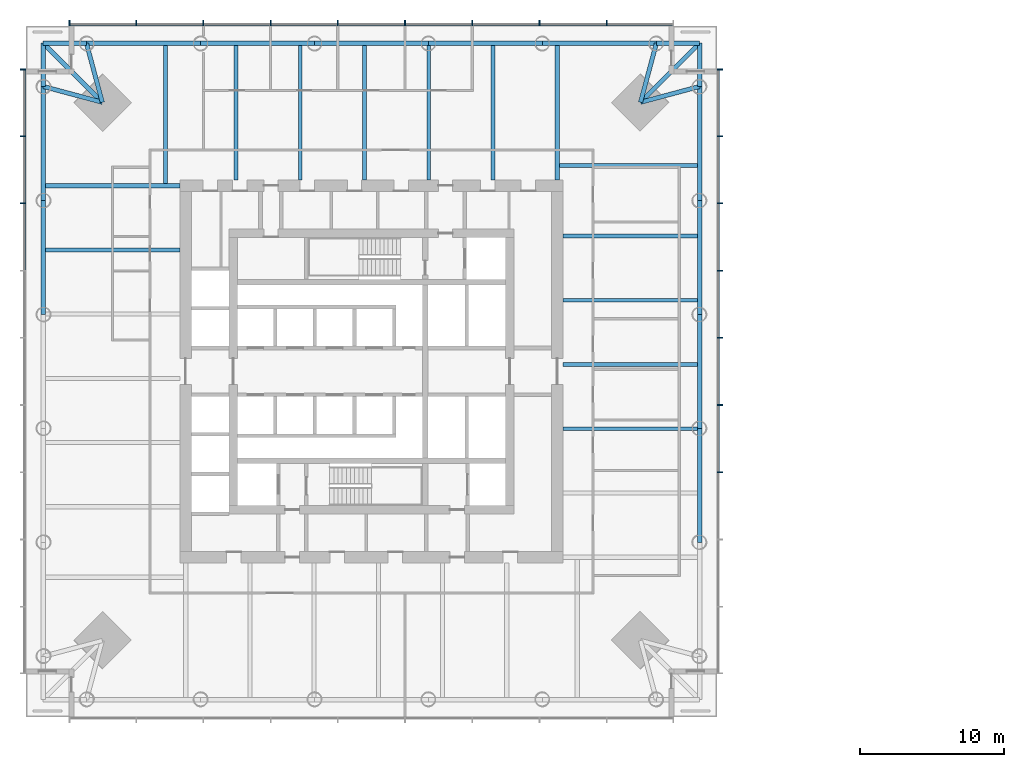
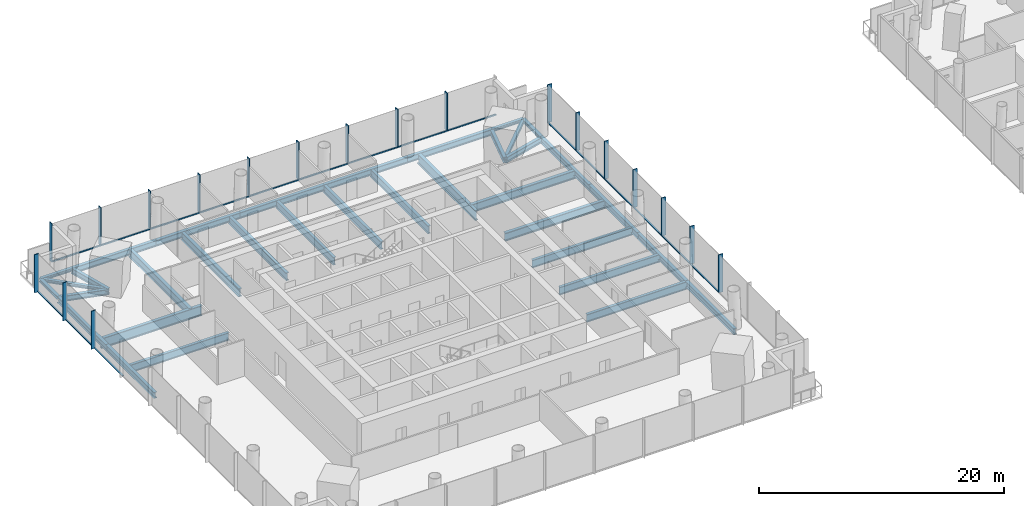
# One storey, part 3 of 21: 37 members, 35 beams, 3 elements without a shape of their own.
"""IFC4 building model written with IfcOpenShell, lengths in metres."""

from ifc_helpers import new_model, si_unit, direction, frame, origin, origin_2d, place, context, subcontext, project, spatial, rectangle, i_section, extrude, material, material_profile, profile_set, type_object, element, aggregate, save


model = new_model("IFC4")

# Units and contexts
model_context = context("Model", 3, precision=1e-05, world=origin(), true_north=direction((0.0, 1.0)))
body_context = subcontext(model_context, "Body", "Model", "MODEL_VIEW")
ifc_project = project(units=[si_unit("LENGTHUNIT", "METRE"), si_unit("AREAUNIT", "SQUARE_METRE"), si_unit("VOLUMEUNIT", "CUBIC_METRE"), si_unit("PLANEANGLEUNIT", "RADIAN"), si_unit("MASSUNIT", "GRAM", prefix="KILO")], contexts=[model_context])

# Site, building, storey
site_placement = place(None, origin())
site = spatial("IfcSite", under=ifc_project, at=site_placement, CompositionType="ELEMENT")
building_placement = place(site_placement, origin())
building = spatial("IfcBuilding", under=site, at=building_placement, Name="Ostroluk Exchange", CompositionType="ELEMENT")
storey_placement = place(building_placement, frame((0.0, 0.0, 59.0)))
storey = spatial("IfcBuildingStorey", under=building, at=storey_placement, Name="L14", CompositionType="ELEMENT", Elevation=59.0)

# Beams
ifc_material_1 = material(Name="Steel S355", Category="steel")
ifc_material_profile_1 = material_profile(ifc_material_1, i_section(OverallWidth=0.300048828125, OverallDepth=0.300048828125, WebThickness=0.010986328125, FlangeThickness=0.01904296875, FilletRadius=0.027099609375, at=origin_2d()), Name="HEB 300")
ifc_profile_set_1 = profile_set([ifc_material_profile_1], Name="Steel S355")
beam_type_1 = type_object("IfcBeamType", Name="Balcony beam HEB 300", PredefinedType="BEAM", material=ifc_profile_set_1)
for number, where, z_axis, x_axis, name in (
    (1, (67.78564453125, 65.78564453125, -0.330078125), (0.0, 1.0, 0.0), (-1.0, 0.0, 0.0), "T1 east balcony beam a"),
    (2, (64.78564453125, 68.78564453125, -0.330078125), (1.0, 0.0, 0.0), (0.0, 1.0, 0.0), "T1 east balcony beam b"),
):
    element("IfcBeam", number, at=place(storey_placement, frame(where, z_axis=z_axis, x_axis=x_axis)), inside=storey, type_object=beam_type_1, Name=name, PredefinedType="BEAM", context=body_context, shape_type="SweptSolid", body=[
        extrude(i_section(OverallWidth=0.300048828125, OverallDepth=0.300048828125, WebThickness=0.010986328125, FlangeThickness=0.01904296875, FilletRadius=0.027099609375, at=origin_2d()), origin(), (0.0, 0.0, 1.0), 3.0),
    ])
beam_1_placement = place(storey_placement, frame((63.685791015625, 64.685791015625, -0.330078125), z_axis=(0.707106781187, 0.707106781187, 0.0), x_axis=(-0.707106781187, 0.707106781187, 0.0)))
element("IfcBeam", 3, at=beam_1_placement, inside=storey, type_object=beam_type_1, Name="T1 east balcony beam c", PredefinedType="BEAM", context=body_context, shape_type="SweptSolid", body=[
    extrude(i_section(OverallWidth=0.300048828125, OverallDepth=0.300048828125, WebThickness=0.010986328125, FlangeThickness=0.01904296875, FilletRadius=0.027099609375, at=origin_2d()), origin(), (0.0, 0.0, 1.0), 5.798095703125),
])
for number, where, z_axis, x_axis, name in (
    (4, (25.21435546875, 68.78564453125, -0.330078125), (-1.0, 0.0, 0.0), (0.0, -1.0, 0.0), "T1 north balcony beam a"),
    (5, (22.21435546875, 65.78564453125, -0.330078125), (0.0, 1.0, 0.0), (-1.0, 0.0, 0.0), "T1 north balcony beam b"),
):
    element("IfcBeam", number, at=place(storey_placement, frame(where, z_axis=z_axis, x_axis=x_axis)), inside=storey, type_object=beam_type_1, Name=name, PredefinedType="BEAM", context=body_context, shape_type="SweptSolid", body=[
        extrude(i_section(OverallWidth=0.300048828125, OverallDepth=0.300048828125, WebThickness=0.010986328125, FlangeThickness=0.01904296875, FilletRadius=0.027099609375, at=origin_2d()), origin(), (0.0, 0.0, 1.0), 3.0),
    ])
beam_2_placement = place(storey_placement, frame((26.314208984375, 64.685791015625, -0.330078125), z_axis=(-0.707106781187, 0.707106781187, 0.0), x_axis=(-0.707106781187, -0.707106781187, 0.0)))
element("IfcBeam", 6, at=beam_2_placement, inside=storey, type_object=beam_type_1, Name="T1 north balcony beam c", PredefinedType="BEAM", context=body_context, shape_type="SweptSolid", body=[
    extrude(i_section(OverallWidth=0.300048828125, OverallDepth=0.300048828125, WebThickness=0.010986328125, FlangeThickness=0.01904296875, FilletRadius=0.027099609375, at=origin_2d()), origin(), (0.0, 0.0, 1.0), 5.798095703125),
])
ifc_material_2 = material(Name="Steel S355", Category="steel")
ifc_material_profile_2 = material_profile(ifc_material_2, i_section(OverallWidth=0.300048828125, OverallDepth=0.550048828125, WebThickness=0.014892578125, FlangeThickness=0.029052734375, FilletRadius=0.027099609375, at=origin_2d()), Name="HEB 550")
ifc_profile_set_2 = profile_set([ifc_material_profile_2], Name="Steel S355")
beam_type_2 = type_object("IfcBeamType", Name="Corner edge beam HEB 550", PredefinedType="SPANDREL", material=ifc_profile_set_2)
for number, where, z_axis, x_axis, name in (
    (7, (63.685791015625, 64.685791015625, -0.455078125), (0.965849156574, 0.259105011038, 0.0), (-0.259105011038, 0.965849156574, 0.0), "T1 east corner edge beam a"),
    (8, (63.685791015625, 64.685791015625, -0.455078125), (0.259105011038, 0.965849156574, 0.0), (-0.965849156574, 0.259105011038, 0.0), "T1 east corner edge beam b"),
    (9, (26.314208984375, 64.685791015625, -0.455078125), (-0.259105011038, 0.965849156574, 0.0), (-0.965849156574, -0.259105011038, 0.0), "T1 north corner edge beam a"),
    (10, (26.314208984375, 64.685791015625, -0.455078125), (-0.965849156574, 0.259105011038, 0.0), (-0.259105011038, -0.965849156574, 0.0), "T1 north corner edge beam b"),
):
    element("IfcBeam", number, at=place(storey_placement, frame(where, z_axis=z_axis, x_axis=x_axis)), inside=storey, type_object=beam_type_2, Name=name, PredefinedType="SPANDREL", context=body_context, shape_type="SweptSolid", body=[
        extrude(i_section(OverallWidth=0.300048828125, OverallDepth=0.550048828125, WebThickness=0.014892578125, FlangeThickness=0.029052734375, FilletRadius=0.027099609375, at=origin_2d()), origin(), (0.0, 0.0, 1.0), 4.244873046875),
    ])
ifc_material_3 = material(Name="Steel S355", Category="steel")
ifc_material_profile_3 = material_profile(ifc_material_3, i_section(OverallWidth=0.302978515625, OverallDepth=0.81396484375, WebThickness=0.02099609375, FlangeThickness=0.0400390625, FilletRadius=0.030029296875, at=origin_2d()), Name="HEM 800")
ifc_profile_set_3 = profile_set([ifc_material_profile_3], Name="Steel S355")
beam_type_3 = type_object("IfcBeamType", Name="Floor beam HEM 800", PredefinedType="BEAM", material=ifc_profile_set_3)
beam_3_placement = place(storey_placement, frame((58.300048828125, 55.403564453125, -0.5869140625), z_axis=(1.0, 0.0, 0.0), x_axis=(0.0, 1.0, 0.0)))
element("IfcBeam", 11, at=beam_3_placement, inside=storey, type_object=beam_type_3, Name="T1 east floor beam 5", PredefinedType="BEAM", context=body_context, shape_type="SweptSolid", body=[
    extrude(i_section(OverallWidth=0.302978515625, OverallDepth=0.81396484375, WebThickness=0.02099609375, FlangeThickness=0.0400390625, FilletRadius=0.030029296875, at=origin_2d()), origin(), (0.0, 0.0, 1.0), 9.485595703125),
])
beam_4_placement = place(storey_placement, frame((57.89990234375, 60.300048828125, -0.5869140625), z_axis=(1.0, 0.0, 0.0), x_axis=(0.0, 1.0, 0.0)))
element("IfcBeam", 12, at=beam_4_placement, inside=storey, type_object=beam_type_3, Name="T1 east floor beam 6", PredefinedType="BEAM", context=body_context, shape_type="SweptSolid", body=[
    extrude(i_section(OverallWidth=0.302978515625, OverallDepth=0.81396484375, WebThickness=0.02099609375, FlangeThickness=0.0400390625, FilletRadius=0.030029296875, at=origin_2d()), origin(), (0.0, 0.0, 1.0), 9.8857421875),
])
beam_5_placement = place(storey_placement, frame((35.596435546875, 59.300048828125, -0.5869140625), z_axis=(0.0, 1.0, 0.0), x_axis=(-1.0, 0.0, 0.0)))
element("IfcBeam", 13, at=beam_5_placement, inside=storey, type_object=beam_type_3, Name="T1 north floor beam 5", PredefinedType="BEAM", context=body_context, shape_type="SweptSolid", body=[
    extrude(i_section(OverallWidth=0.302978515625, OverallDepth=0.81396484375, WebThickness=0.02099609375, FlangeThickness=0.0400390625, FilletRadius=0.030029296875, at=origin_2d()), origin(), (0.0, 0.0, 1.0), 9.485595703125),
])
beam_6_placement = place(storey_placement, frame((30.699951171875, 58.89990234375, -0.5869140625), z_axis=(0.0, 1.0, 0.0), x_axis=(-1.0, 0.0, 0.0)))
element("IfcBeam", 14, at=beam_6_placement, inside=storey, type_object=beam_type_3, Name="T1 north floor beam 6", PredefinedType="BEAM", context=body_context, shape_type="SweptSolid", body=[
    extrude(i_section(OverallWidth=0.302978515625, OverallDepth=0.81396484375, WebThickness=0.02099609375, FlangeThickness=0.0400390625, FilletRadius=0.030029296875, at=origin_2d()), origin(), (0.0, 0.0, 1.0), 9.8857421875),
])
ifc_material_4 = material(Name="Steel S355", Category="steel")
ifc_material_profile_4 = material_profile(ifc_material_4, i_section(OverallWidth=0.26806640625, OverallDepth=0.77001953125, WebThickness=0.015625, FlangeThickness=0.025390625, FilletRadius=0.01708984375, at=origin_2d()), Name="IPE 750x196")
ifc_profile_set_4 = profile_set([ifc_material_profile_4], Name="Steel S355")
beam_type_4 = type_object("IfcBeamType", Name="Floor beam IPE 750x196", PredefinedType="BEAM", material=ifc_profile_set_4)
for number, where, z_axis, x_axis, name in (
    (15, (58.300048828125, 42.021484375, -0.56494140625), (1.0, 0.0, 0.0), (0.0, 1.0, 0.0), "T1 east floor beam 2"),
    (16, (58.300048828125, 46.482177734375, -0.56494140625), (1.0, 0.0, 0.0), (0.0, 1.0, 0.0), "T1 east floor beam 3"),
    (17, (58.300048828125, 50.94287109375, -0.56494140625), (1.0, 0.0, 0.0), (0.0, 1.0, 0.0), "T1 east floor beam 4"),
    (18, (53.439208984375, 59.300048828125, -0.56494140625), (0.0, 1.0, 0.0), (-1.0, 0.0, 0.0), "T1 north floor beam 1"),
    (19, (48.978515625, 59.300048828125, -0.56494140625), (0.0, 1.0, 0.0), (-1.0, 0.0, 0.0), "T1 north floor beam 2"),
    (20, (44.517822265625, 59.300048828125, -0.56494140625), (0.0, 1.0, 0.0), (-1.0, 0.0, 0.0), "T1 north floor beam 3"),
    (21, (40.05712890625, 59.300048828125, -0.56494140625), (0.0, 1.0, 0.0), (-1.0, 0.0, 0.0), "T1 north floor beam 4"),
    (22, (31.699951171875, 54.439208984375, -0.56494140625), (-1.0, 0.0, 0.0), (0.0, -1.0, 0.0), "T1 west floor beam 1"),
):
    element("IfcBeam", number, at=place(storey_placement, frame(where, z_axis=z_axis, x_axis=x_axis)), inside=storey, type_object=beam_type_4, Name=name, PredefinedType="BEAM", context=body_context, shape_type="SweptSolid", body=[
        extrude(i_section(OverallWidth=0.26806640625, OverallDepth=0.77001953125, WebThickness=0.015625, FlangeThickness=0.025390625, FilletRadius=0.01708984375, at=origin_2d()), origin(), (0.0, 0.0, 1.0), 9.485595703125),
    ])
ifc_material_5 = material(Name="Steel S355", Category="steel")
ifc_material_profile_5 = material_profile(ifc_material_5, i_section(OverallWidth=0.302001953125, OverallDepth=1.008056640625, WebThickness=0.02099609375, FlangeThickness=0.0400390625, FilletRadius=0.030029296875, at=origin_2d()), Name="HEM 1000")
ifc_profile_set_5 = profile_set([ifc_material_profile_5], Name="Steel S355")
beam_type_5 = type_object("IfcBeamType", Name="Girder HEM 1000", PredefinedType="BEAM", material=ifc_profile_set_5)
for number, where, z_axis, x_axis, name in (
    (23, (57.89990234375, 59.300048828125, -0.68408203125), (0.0, 1.0, 0.0), (-1.0, 0.0, 0.0), "T1 east girder"),
    (24, (31.699951171875, 58.89990234375, -0.68408203125), (-1.0, 0.0, 0.0), (0.0, -1.0, 0.0), "T1 north girder"),
):
    element("IfcBeam", number, at=place(storey_placement, frame(where, z_axis=z_axis, x_axis=x_axis)), inside=storey, type_object=beam_type_5, Name=name, PredefinedType="BEAM", context=body_context, shape_type="SweptSolid", body=[
        extrude(i_section(OverallWidth=0.302001953125, OverallDepth=1.008056640625, WebThickness=0.02099609375, FlangeThickness=0.0400390625, FilletRadius=0.030029296875, at=origin_2d()), origin(), (0.0, 0.0, 1.0), 9.485595703125),
    ])
ifc_material_6 = material(Name="Steel S355", Category="steel")
ifc_material_profile_6 = material_profile(ifc_material_6, i_section(OverallWidth=0.300048828125, OverallDepth=0.60009765625, WebThickness=0.015380859375, FlangeThickness=0.030029296875, FilletRadius=0.027099609375, at=origin_2d()), Name="HEB 600")
ifc_profile_set_6 = profile_set([ifc_material_profile_6], Name="Steel S355")
beam_type_6 = type_object("IfcBeamType", Name="Moment-connected edge beam HEB 600", PredefinedType="SPANDREL", material=ifc_profile_set_6)
beam_7_placement = place(storey_placement, frame((67.78564453125, 34.128662109375, -0.47998046875), z_axis=(0.0, 1.0, 0.0), x_axis=(-1.0, 0.0, 0.0)))
element("IfcBeam", 25, at=beam_7_placement, inside=storey, type_object=beam_type_6, Name="T1 east edge beam 2", PredefinedType="SPANDREL", context=body_context, shape_type="SweptSolid", body=[
    extrude(i_section(OverallWidth=0.300048828125, OverallDepth=0.60009765625, WebThickness=0.015380859375, FlangeThickness=0.030029296875, FilletRadius=0.027099609375, at=origin_2d()), origin(), (0.0, 0.0, 1.0), 7.914306640625),
])
beam_8_placement = place(storey_placement, frame((67.78564453125, 42.04296875, -0.47998046875), z_axis=(0.0, 1.0, 0.0), x_axis=(-1.0, 0.0, 0.0)))
element("IfcBeam", 26, at=beam_8_placement, inside=storey, type_object=beam_type_6, Name="T1 east edge beam 3", PredefinedType="SPANDREL", context=body_context, shape_type="SweptSolid", body=[
    extrude(i_section(OverallWidth=0.300048828125, OverallDepth=0.60009765625, WebThickness=0.015380859375, FlangeThickness=0.030029296875, FilletRadius=0.027099609375, at=origin_2d()), origin(), (0.0, 0.0, 1.0), 7.9140625),
])
for number, where, z_axis, x_axis, name in (
    (27, (67.78564453125, 49.95703125, -0.47998046875), (0.0, 1.0, 0.0), (-1.0, 0.0, 0.0), "T1 east edge beam 4"),
    (28, (67.78564453125, 57.871337890625, -0.47998046875), (0.0, 1.0, 0.0), (-1.0, 0.0, 0.0), "T1 east edge beam 5"),
    (29, (64.78564453125, 68.78564453125, -0.47998046875), (-1.0, 0.0, 0.0), (0.0, -1.0, 0.0), "T1 north edge beam 1"),
    (30, (56.871337890625, 68.78564453125, -0.47998046875), (-1.0, 0.0, 0.0), (0.0, -1.0, 0.0), "T1 north edge beam 2"),
):
    element("IfcBeam", number, at=place(storey_placement, frame(where, z_axis=z_axis, x_axis=x_axis)), inside=storey, type_object=beam_type_6, Name=name, PredefinedType="SPANDREL", context=body_context, shape_type="SweptSolid", body=[
        extrude(i_section(OverallWidth=0.300048828125, OverallDepth=0.60009765625, WebThickness=0.015380859375, FlangeThickness=0.030029296875, FilletRadius=0.027099609375, at=origin_2d()), origin(), (0.0, 0.0, 1.0), 7.914306640625),
    ])
beam_9_placement = place(storey_placement, frame((48.95703125, 68.78564453125, -0.47998046875), z_axis=(-1.0, 0.0, 0.0), x_axis=(0.0, -1.0, 0.0)))
element("IfcBeam", 31, at=beam_9_placement, inside=storey, type_object=beam_type_6, Name="T1 north edge beam 3", PredefinedType="SPANDREL", context=body_context, shape_type="SweptSolid", body=[
    extrude(i_section(OverallWidth=0.300048828125, OverallDepth=0.60009765625, WebThickness=0.015380859375, FlangeThickness=0.030029296875, FilletRadius=0.027099609375, at=origin_2d()), origin(), (0.0, 0.0, 1.0), 7.9140625),
])
for number, where, z_axis, x_axis, name in (
    (32, (41.04296875, 68.78564453125, -0.47998046875), (-1.0, 0.0, 0.0), (0.0, -1.0, 0.0), "T1 north edge beam 4"),
    (33, (33.128662109375, 68.78564453125, -0.47998046875), (-1.0, 0.0, 0.0), (0.0, -1.0, 0.0), "T1 north edge beam 5"),
    (34, (22.21435546875, 65.78564453125, -0.47998046875), (0.0, -1.0, 0.0), (1.0, 0.0, 0.0), "T1 west edge beam 1"),
    (35, (22.21435546875, 57.871337890625, -0.47998046875), (0.0, -1.0, 0.0), (1.0, 0.0, 0.0), "T1 west edge beam 2"),
):
    element("IfcBeam", number, at=place(storey_placement, frame(where, z_axis=z_axis, x_axis=x_axis)), inside=storey, type_object=beam_type_6, Name=name, PredefinedType="SPANDREL", context=body_context, shape_type="SweptSolid", body=[
        extrude(i_section(OverallWidth=0.300048828125, OverallDepth=0.60009765625, WebThickness=0.015380859375, FlangeThickness=0.030029296875, FilletRadius=0.027099609375, at=origin_2d()), origin(), (0.0, 0.0, 1.0), 7.914306640625),
    ])

# Curtain wall, members
ifc_material_7 = material(Name="Laminated clear glass", Category="glass")
curtain_wall_type = type_object("IfcCurtainWallType", Name="Office tower facade", PredefinedType="USERDEFINED", material=ifc_material_7)
curtain_wall_1_placement = place(storey_placement, origin())
curtain_wall_1 = element("IfcCurtainWall", 36, at=curtain_wall_1_placement, inside=storey, type_object=curtain_wall_type, Name="Office tower east facade L14", ObjectType="UNITISED CURTAIN WALL", PredefinedType="USERDEFINED")
ifc_material_8 = material(Name="Aluminium mullion", Category="aluminium")
ifc_material_profile_7 = material_profile(ifc_material_8, rectangle(XDim=0.14990234375, YDim=0.080078125, at=origin_2d()), Name="Sill transom 80 x 150")
ifc_profile_set_7 = profile_set([ifc_material_profile_7], Name="Aluminium mullion")
member_type_1 = type_object("IfcMemberType", Name="Sill transom 80 x 150", PredefinedType="USERDEFINED", material=ifc_profile_set_7)
member_1_placement = place(storey_placement, frame((69.074951171875, 39.0400390625, 0.0400390625), z_axis=(0.0, 1.0, 0.0), x_axis=(-1.0, 0.0, 0.0)))
member_1 = element("IfcMember", 37, at=member_1_placement, type_object=member_type_1, Name="CW-O1 transom 4.1", ObjectType="TRANSOM", PredefinedType="USERDEFINED", context=body_context, shape_type="SweptSolid", body=[
    extrude(rectangle(XDim=0.14990234375, YDim=0.080078125, at=origin_2d()), origin(), (0.0, 0.0, 1.0), 4.586669921875),
])
member_2_placement = place(storey_placement, frame((69.074951171875, 43.706787109375, 0.0400390625), z_axis=(0.0, 1.0, 0.0), x_axis=(-1.0, 0.0, 0.0)))
member_2 = element("IfcMember", 38, at=member_2_placement, type_object=member_type_1, Name="CW-O1 transom 5.1", ObjectType="TRANSOM", PredefinedType="USERDEFINED", context=body_context, shape_type="SweptSolid", body=[
    extrude(rectangle(XDim=0.14990234375, YDim=0.080078125, at=origin_2d()), origin(), (0.0, 0.0, 1.0), 4.58642578125),
])
member_3_placement = place(storey_placement, frame((69.074951171875, 48.373291015625, 0.0400390625), z_axis=(0.0, 1.0, 0.0), x_axis=(-1.0, 0.0, 0.0)))
member_3 = element("IfcMember", 39, at=member_3_placement, type_object=member_type_1, Name="CW-O1 transom 6.1", ObjectType="TRANSOM", PredefinedType="USERDEFINED", context=body_context, shape_type="SweptSolid", body=[
    extrude(rectangle(XDim=0.14990234375, YDim=0.080078125, at=origin_2d()), origin(), (0.0, 0.0, 1.0), 4.586669921875),
])
member_4_placement = place(storey_placement, frame((69.074951171875, 53.0400390625, 0.0400390625), z_axis=(0.0, 1.0, 0.0), x_axis=(-1.0, 0.0, 0.0)))
member_4 = element("IfcMember", 40, at=member_4_placement, type_object=member_type_1, Name="CW-O1 transom 7.1", ObjectType="TRANSOM", PredefinedType="USERDEFINED", context=body_context, shape_type="SweptSolid", body=[
    extrude(rectangle(XDim=0.14990234375, YDim=0.080078125, at=origin_2d()), origin(), (0.0, 0.0, 1.0), 4.586669921875),
])
member_5_placement = place(storey_placement, frame((69.074951171875, 57.706787109375, 0.0400390625), z_axis=(0.0, 1.0, 0.0), x_axis=(-1.0, 0.0, 0.0)))
member_5 = element("IfcMember", 41, at=member_5_placement, type_object=member_type_1, Name="CW-O1 transom 8.1", ObjectType="TRANSOM", PredefinedType="USERDEFINED", context=body_context, shape_type="SweptSolid", body=[
    extrude(rectangle(XDim=0.14990234375, YDim=0.080078125, at=origin_2d()), origin(), (0.0, 0.0, 1.0), 4.58642578125),
])
member_6_placement = place(storey_placement, frame((69.074951171875, 62.373291015625, 0.0400390625), z_axis=(0.0, 1.0, 0.0), x_axis=(-1.0, 0.0, 0.0)))
member_6 = element("IfcMember", 42, at=member_6_placement, type_object=member_type_1, Name="CW-O1 transom 9.1", ObjectType="TRANSOM", PredefinedType="USERDEFINED", context=body_context, shape_type="SweptSolid", body=[
    extrude(rectangle(XDim=0.14990234375, YDim=0.080078125, at=origin_2d()), origin(), (0.0, 0.0, 1.0), 4.546630859375),
])

curtain_wall_2_placement = place(storey_placement, origin())
curtain_wall_2 = element("IfcCurtainWall", 43, at=curtain_wall_2_placement, inside=storey, type_object=curtain_wall_type, Name="Office tower north facade L14", ObjectType="UNITISED CURTAIN WALL", PredefinedType="USERDEFINED")
member_7_placement = place(storey_placement, frame((65.919921875, 70.074951171875, 0.0400390625), z_axis=(-1.0, 0.0, 0.0), x_axis=(0.0, -1.0, 0.0)))
member_7 = element("IfcMember", 44, at=member_7_placement, type_object=member_type_1, Name="CW-O1 transom 1.1", ObjectType="TRANSOM", PredefinedType="USERDEFINED", context=body_context, shape_type="SweptSolid", body=[
    extrude(rectangle(XDim=0.14990234375, YDim=0.080078125, at=origin_2d()), origin(), (0.0, 0.0, 1.0), 4.546630859375),
])
member_8_placement = place(storey_placement, frame((61.293212890625, 70.074951171875, 0.0400390625), z_axis=(-1.0, 0.0, 0.0), x_axis=(0.0, -1.0, 0.0)))
member_8 = element("IfcMember", 45, at=member_8_placement, type_object=member_type_1, Name="CW-O1 transom 2.1", ObjectType="TRANSOM", PredefinedType="USERDEFINED", context=body_context, shape_type="SweptSolid", body=[
    extrude(rectangle(XDim=0.14990234375, YDim=0.080078125, at=origin_2d()), origin(), (0.0, 0.0, 1.0), 4.58642578125),
])
member_9_placement = place(storey_placement, frame((56.626708984375, 70.074951171875, 0.0400390625), z_axis=(-1.0, 0.0, 0.0), x_axis=(0.0, -1.0, 0.0)))
member_9 = element("IfcMember", 46, at=member_9_placement, type_object=member_type_1, Name="CW-O1 transom 3.1", ObjectType="TRANSOM", PredefinedType="USERDEFINED", context=body_context, shape_type="SweptSolid", body=[
    extrude(rectangle(XDim=0.14990234375, YDim=0.080078125, at=origin_2d()), origin(), (0.0, 0.0, 1.0), 4.586669921875),
])
member_10_placement = place(storey_placement, frame((51.9599609375, 70.074951171875, 0.0400390625), z_axis=(-1.0, 0.0, 0.0), x_axis=(0.0, -1.0, 0.0)))
member_10 = element("IfcMember", 47, at=member_10_placement, type_object=member_type_1, Name="CW-O1 transom 4.1", ObjectType="TRANSOM", PredefinedType="USERDEFINED", context=body_context, shape_type="SweptSolid", body=[
    extrude(rectangle(XDim=0.14990234375, YDim=0.080078125, at=origin_2d()), origin(), (0.0, 0.0, 1.0), 4.586669921875),
])
member_11_placement = place(storey_placement, frame((47.293212890625, 70.074951171875, 0.0400390625), z_axis=(-1.0, 0.0, 0.0), x_axis=(0.0, -1.0, 0.0)))
member_11 = element("IfcMember", 48, at=member_11_placement, type_object=member_type_1, Name="CW-O1 transom 5.1", ObjectType="TRANSOM", PredefinedType="USERDEFINED", context=body_context, shape_type="SweptSolid", body=[
    extrude(rectangle(XDim=0.14990234375, YDim=0.080078125, at=origin_2d()), origin(), (0.0, 0.0, 1.0), 4.58642578125),
])
member_12_placement = place(storey_placement, frame((42.626708984375, 70.074951171875, 0.0400390625), z_axis=(-1.0, 0.0, 0.0), x_axis=(0.0, -1.0, 0.0)))
member_12 = element("IfcMember", 49, at=member_12_placement, type_object=member_type_1, Name="CW-O1 transom 6.1", ObjectType="TRANSOM", PredefinedType="USERDEFINED", context=body_context, shape_type="SweptSolid", body=[
    extrude(rectangle(XDim=0.14990234375, YDim=0.080078125, at=origin_2d()), origin(), (0.0, 0.0, 1.0), 4.586669921875),
])
member_13_placement = place(storey_placement, frame((37.9599609375, 70.074951171875, 0.0400390625), z_axis=(-1.0, 0.0, 0.0), x_axis=(0.0, -1.0, 0.0)))
member_13 = element("IfcMember", 50, at=member_13_placement, type_object=member_type_1, Name="CW-O1 transom 7.1", ObjectType="TRANSOM", PredefinedType="USERDEFINED", context=body_context, shape_type="SweptSolid", body=[
    extrude(rectangle(XDim=0.14990234375, YDim=0.080078125, at=origin_2d()), origin(), (0.0, 0.0, 1.0), 4.586669921875),
])
member_14_placement = place(storey_placement, frame((33.293212890625, 70.074951171875, 0.0400390625), z_axis=(-1.0, 0.0, 0.0), x_axis=(0.0, -1.0, 0.0)))
member_14 = element("IfcMember", 51, at=member_14_placement, type_object=member_type_1, Name="CW-O1 transom 8.1", ObjectType="TRANSOM", PredefinedType="USERDEFINED", context=body_context, shape_type="SweptSolid", body=[
    extrude(rectangle(XDim=0.14990234375, YDim=0.080078125, at=origin_2d()), origin(), (0.0, 0.0, 1.0), 4.58642578125),
])
member_15_placement = place(storey_placement, frame((28.626708984375, 70.074951171875, 0.0400390625), z_axis=(-1.0, 0.0, 0.0), x_axis=(0.0, -1.0, 0.0)))
member_15 = element("IfcMember", 52, at=member_15_placement, type_object=member_type_1, Name="CW-O1 transom 9.1", ObjectType="TRANSOM", PredefinedType="USERDEFINED", context=body_context, shape_type="SweptSolid", body=[
    extrude(rectangle(XDim=0.14990234375, YDim=0.080078125, at=origin_2d()), origin(), (0.0, 0.0, 1.0), 4.546630859375),
])

curtain_wall_3_placement = place(storey_placement, origin())
curtain_wall_3 = element("IfcCurtainWall", 53, at=curtain_wall_3_placement, inside=storey, type_object=curtain_wall_type, Name="Office tower west facade L14", ObjectType="UNITISED CURTAIN WALL", PredefinedType="USERDEFINED")
member_16_placement = place(storey_placement, frame((20.925048828125, 66.919921875, 0.0400390625), z_axis=(0.0, -1.0, 0.0), x_axis=(1.0, 0.0, 0.0)))
member_16 = element("IfcMember", 54, at=member_16_placement, type_object=member_type_1, Name="CW-O1 transom 1.1", ObjectType="TRANSOM", PredefinedType="USERDEFINED", context=body_context, shape_type="SweptSolid", body=[
    extrude(rectangle(XDim=0.14990234375, YDim=0.080078125, at=origin_2d()), origin(), (0.0, 0.0, 1.0), 4.546630859375),
])
member_17_placement = place(storey_placement, frame((20.925048828125, 62.293212890625, 0.0400390625), z_axis=(0.0, -1.0, 0.0), x_axis=(1.0, 0.0, 0.0)))
member_17 = element("IfcMember", 55, at=member_17_placement, type_object=member_type_1, Name="CW-O1 transom 2.1", ObjectType="TRANSOM", PredefinedType="USERDEFINED", context=body_context, shape_type="SweptSolid", body=[
    extrude(rectangle(XDim=0.14990234375, YDim=0.080078125, at=origin_2d()), origin(), (0.0, 0.0, 1.0), 4.58642578125),
])
member_18_placement = place(storey_placement, frame((20.925048828125, 57.626708984375, 0.0400390625), z_axis=(0.0, -1.0, 0.0), x_axis=(1.0, 0.0, 0.0)))
member_18 = element("IfcMember", 56, at=member_18_placement, type_object=member_type_1, Name="CW-O1 transom 3.1", ObjectType="TRANSOM", PredefinedType="USERDEFINED", context=body_context, shape_type="SweptSolid", body=[
    extrude(rectangle(XDim=0.14990234375, YDim=0.080078125, at=origin_2d()), origin(), (0.0, 0.0, 1.0), 4.586669921875),
])

# Member
ifc_material_9 = material(Name="Aluminium mullion with limestone facing", Category="masonry")
ifc_material_profile_8 = material_profile(ifc_material_9, rectangle(XDim=0.39990234375, YDim=0.080078125, at=origin_2d()), Name="Tracery mullion 80 x 400")
ifc_profile_set_8 = profile_set([ifc_material_profile_8], Name="Aluminium mullion with limestone facing")
member_type_2 = type_object("IfcMemberType", Name="Tracery mullion 80 x 400", PredefinedType="MULLION", material=ifc_profile_set_8)
member_19_placement = place(storey_placement, frame((69.199951171875, 39.0, 0.0), z_axis=(0.0, 0.0, 1.0), x_axis=(-1.0, 0.0, 0.0)))
member_19 = element("IfcMember", 57, at=member_19_placement, type_object=member_type_2, Name="CW-O1 mullion 4", PredefinedType="MULLION", context=body_context, shape_type="SweptSolid", body=[
    extrude(rectangle(XDim=0.39990234375, YDim=0.080078125, at=origin_2d()), origin(), (0.0, 0.0, 1.0), 3.800048828125),
])

member_20_placement = place(storey_placement, frame((69.199951171875, 43.666748046875, 0.0), z_axis=(0.0, 0.0, 1.0), x_axis=(-1.0, 0.0, 0.0)))
member_20 = element("IfcMember", 58, at=member_20_placement, type_object=member_type_2, Name="CW-O1 mullion 5", PredefinedType="MULLION", context=body_context, shape_type="SweptSolid", body=[
    extrude(rectangle(XDim=0.39990234375, YDim=0.080078125, at=origin_2d()), origin(), (0.0, 0.0, 1.0), 3.800048828125),
])

member_21_placement = place(storey_placement, frame((69.199951171875, 48.333251953125, 0.0), z_axis=(0.0, 0.0, 1.0), x_axis=(-1.0, 0.0, 0.0)))
member_21 = element("IfcMember", 59, at=member_21_placement, type_object=member_type_2, Name="CW-O1 mullion 6", PredefinedType="MULLION", context=body_context, shape_type="SweptSolid", body=[
    extrude(rectangle(XDim=0.39990234375, YDim=0.080078125, at=origin_2d()), origin(), (0.0, 0.0, 1.0), 3.800048828125),
])

member_22_placement = place(storey_placement, frame((69.199951171875, 53.0, 0.0), z_axis=(0.0, 0.0, 1.0), x_axis=(-1.0, 0.0, 0.0)))
member_22 = element("IfcMember", 60, at=member_22_placement, type_object=member_type_2, Name="CW-O1 mullion 7", PredefinedType="MULLION", context=body_context, shape_type="SweptSolid", body=[
    extrude(rectangle(XDim=0.39990234375, YDim=0.080078125, at=origin_2d()), origin(), (0.0, 0.0, 1.0), 3.800048828125),
])

member_23_placement = place(storey_placement, frame((69.199951171875, 57.666748046875, 0.0), z_axis=(0.0, 0.0, 1.0), x_axis=(-1.0, 0.0, 0.0)))
member_23 = element("IfcMember", 61, at=member_23_placement, type_object=member_type_2, Name="CW-O1 mullion 8", PredefinedType="MULLION", context=body_context, shape_type="SweptSolid", body=[
    extrude(rectangle(XDim=0.39990234375, YDim=0.080078125, at=origin_2d()), origin(), (0.0, 0.0, 1.0), 3.800048828125),
])

member_24_placement = place(storey_placement, frame((69.199951171875, 62.333251953125, 0.0), z_axis=(0.0, 0.0, 1.0), x_axis=(-1.0, 0.0, 0.0)))
member_24 = element("IfcMember", 62, at=member_24_placement, type_object=member_type_2, Name="CW-O1 mullion 9", PredefinedType="MULLION", context=body_context, shape_type="SweptSolid", body=[
    extrude(rectangle(XDim=0.39990234375, YDim=0.080078125, at=origin_2d()), origin(), (0.0, 0.0, 1.0), 3.800048828125),
])

member_25_placement = place(storey_placement, frame((69.199951171875, 66.9599609375, 0.0), z_axis=(0.0, 0.0, 1.0), x_axis=(-1.0, 0.0, 0.0)))
member_25 = element("IfcMember", 63, at=member_25_placement, type_object=member_type_2, Name="CW-O1 mullion 10", PredefinedType="MULLION", context=body_context, shape_type="SweptSolid", body=[
    extrude(rectangle(XDim=0.39990234375, YDim=0.080078125, at=origin_2d()), origin(), (0.0, 0.0, 1.0), 3.800048828125),
])

aggregate(curtain_wall_1, [member_19, member_20, member_21, member_22, member_23, member_24, member_25, member_1, member_2, member_3, member_4, member_5, member_6])

member_26_placement = place(storey_placement, frame((61.333251953125, 70.199951171875, 0.0), z_axis=(0.0, 0.0, 1.0), x_axis=(0.0, -1.0, 0.0)))
member_26 = element("IfcMember", 64, at=member_26_placement, type_object=member_type_2, Name="CW-O1 mullion 2", PredefinedType="MULLION", context=body_context, shape_type="SweptSolid", body=[
    extrude(rectangle(XDim=0.39990234375, YDim=0.080078125, at=origin_2d()), origin(), (0.0, 0.0, 1.0), 3.800048828125),
])

member_27_placement = place(storey_placement, frame((56.666748046875, 70.199951171875, 0.0), z_axis=(0.0, 0.0, 1.0), x_axis=(0.0, -1.0, 0.0)))
member_27 = element("IfcMember", 65, at=member_27_placement, type_object=member_type_2, Name="CW-O1 mullion 3", PredefinedType="MULLION", context=body_context, shape_type="SweptSolid", body=[
    extrude(rectangle(XDim=0.39990234375, YDim=0.080078125, at=origin_2d()), origin(), (0.0, 0.0, 1.0), 3.800048828125),
])

member_28_placement = place(storey_placement, frame((52.0, 70.199951171875, 0.0), z_axis=(0.0, 0.0, 1.0), x_axis=(0.0, -1.0, 0.0)))
member_28 = element("IfcMember", 66, at=member_28_placement, type_object=member_type_2, Name="CW-O1 mullion 4", PredefinedType="MULLION", context=body_context, shape_type="SweptSolid", body=[
    extrude(rectangle(XDim=0.39990234375, YDim=0.080078125, at=origin_2d()), origin(), (0.0, 0.0, 1.0), 3.800048828125),
])

member_29_placement = place(storey_placement, frame((47.333251953125, 70.199951171875, 0.0), z_axis=(0.0, 0.0, 1.0), x_axis=(0.0, -1.0, 0.0)))
member_29 = element("IfcMember", 67, at=member_29_placement, type_object=member_type_2, Name="CW-O1 mullion 5", PredefinedType="MULLION", context=body_context, shape_type="SweptSolid", body=[
    extrude(rectangle(XDim=0.39990234375, YDim=0.080078125, at=origin_2d()), origin(), (0.0, 0.0, 1.0), 3.800048828125),
])

member_30_placement = place(storey_placement, frame((42.666748046875, 70.199951171875, 0.0), z_axis=(0.0, 0.0, 1.0), x_axis=(0.0, -1.0, 0.0)))
member_30 = element("IfcMember", 68, at=member_30_placement, type_object=member_type_2, Name="CW-O1 mullion 6", PredefinedType="MULLION", context=body_context, shape_type="SweptSolid", body=[
    extrude(rectangle(XDim=0.39990234375, YDim=0.080078125, at=origin_2d()), origin(), (0.0, 0.0, 1.0), 3.800048828125),
])

member_31_placement = place(storey_placement, frame((38.0, 70.199951171875, 0.0), z_axis=(0.0, 0.0, 1.0), x_axis=(0.0, -1.0, 0.0)))
member_31 = element("IfcMember", 69, at=member_31_placement, type_object=member_type_2, Name="CW-O1 mullion 7", PredefinedType="MULLION", context=body_context, shape_type="SweptSolid", body=[
    extrude(rectangle(XDim=0.39990234375, YDim=0.080078125, at=origin_2d()), origin(), (0.0, 0.0, 1.0), 3.800048828125),
])

member_32_placement = place(storey_placement, frame((33.333251953125, 70.199951171875, 0.0), z_axis=(0.0, 0.0, 1.0), x_axis=(0.0, -1.0, 0.0)))
member_32 = element("IfcMember", 70, at=member_32_placement, type_object=member_type_2, Name="CW-O1 mullion 8", PredefinedType="MULLION", context=body_context, shape_type="SweptSolid", body=[
    extrude(rectangle(XDim=0.39990234375, YDim=0.080078125, at=origin_2d()), origin(), (0.0, 0.0, 1.0), 3.800048828125),
])

member_33_placement = place(storey_placement, frame((28.666748046875, 70.199951171875, 0.0), z_axis=(0.0, 0.0, 1.0), x_axis=(0.0, -1.0, 0.0)))
member_33 = element("IfcMember", 71, at=member_33_placement, type_object=member_type_2, Name="CW-O1 mullion 9", PredefinedType="MULLION", context=body_context, shape_type="SweptSolid", body=[
    extrude(rectangle(XDim=0.39990234375, YDim=0.080078125, at=origin_2d()), origin(), (0.0, 0.0, 1.0), 3.800048828125),
])

member_34_placement = place(storey_placement, frame((24.0400390625, 70.199951171875, 0.0), z_axis=(0.0, 0.0, 1.0), x_axis=(0.0, -1.0, 0.0)))
member_34 = element("IfcMember", 72, at=member_34_placement, type_object=member_type_2, Name="CW-O1 mullion 10", PredefinedType="MULLION", context=body_context, shape_type="SweptSolid", body=[
    extrude(rectangle(XDim=0.39990234375, YDim=0.080078125, at=origin_2d()), origin(), (0.0, 0.0, 1.0), 3.800048828125),
])

aggregate(curtain_wall_2, [member_26, member_27, member_28, member_29, member_30, member_31, member_32, member_33, member_34, member_7, member_8, member_9, member_10, member_11, member_12, member_13, member_14, member_15])

member_35_placement = place(storey_placement, frame((20.800048828125, 66.9599609375, 0.0), z_axis=(0.0, 0.0, 1.0), x_axis=(1.0, 0.0, 0.0)))
member_35 = element("IfcMember", 73, at=member_35_placement, type_object=member_type_2, Name="CW-O1 mullion 1", PredefinedType="MULLION", context=body_context, shape_type="SweptSolid", body=[
    extrude(rectangle(XDim=0.39990234375, YDim=0.080078125, at=origin_2d()), origin(), (0.0, 0.0, 1.0), 3.800048828125),
])

member_36_placement = place(storey_placement, frame((20.800048828125, 62.333251953125, 0.0), z_axis=(0.0, 0.0, 1.0), x_axis=(1.0, 0.0, 0.0)))
member_36 = element("IfcMember", 74, at=member_36_placement, type_object=member_type_2, Name="CW-O1 mullion 2", PredefinedType="MULLION", context=body_context, shape_type="SweptSolid", body=[
    extrude(rectangle(XDim=0.39990234375, YDim=0.080078125, at=origin_2d()), origin(), (0.0, 0.0, 1.0), 3.800048828125),
])

member_37_placement = place(storey_placement, frame((20.800048828125, 57.666748046875, 0.0), z_axis=(0.0, 0.0, 1.0), x_axis=(1.0, 0.0, 0.0)))
member_37 = element("IfcMember", 75, at=member_37_placement, type_object=member_type_2, Name="CW-O1 mullion 3", PredefinedType="MULLION", context=body_context, shape_type="SweptSolid", body=[
    extrude(rectangle(XDim=0.39990234375, YDim=0.080078125, at=origin_2d()), origin(), (0.0, 0.0, 1.0), 3.800048828125),
])

aggregate(curtain_wall_3, [member_35, member_36, member_37, member_16, member_17, member_18])

save(model, "model.ifc")
